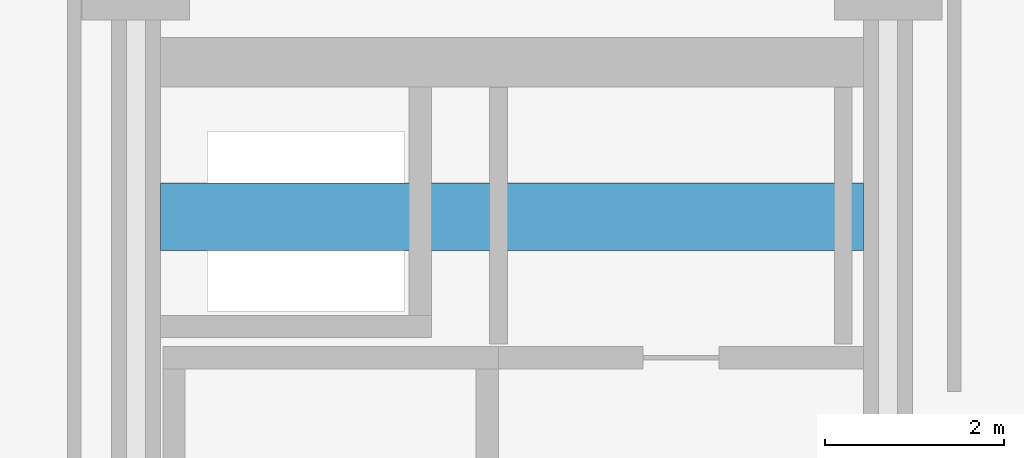
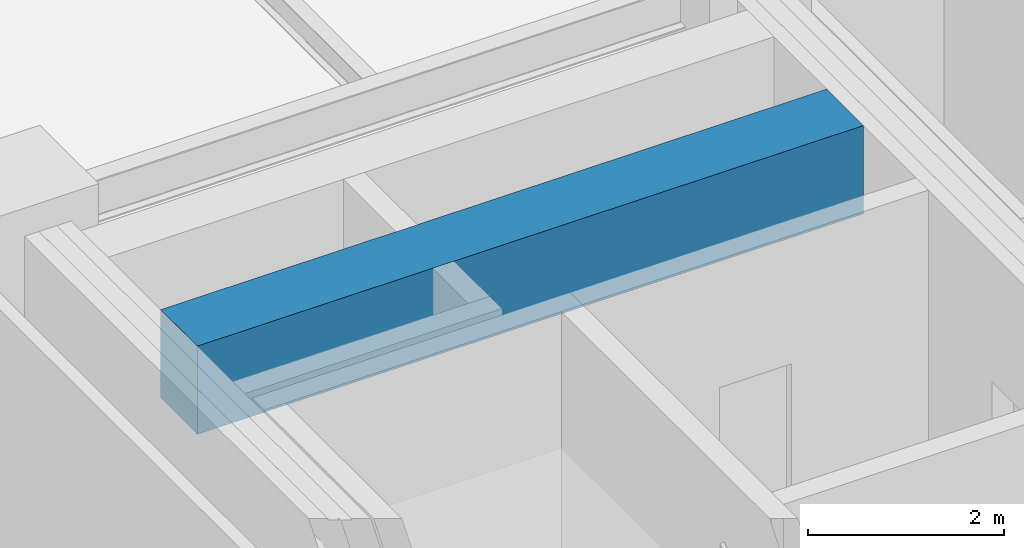
# One storey, part 17 of 29: 1 beam.
"""IFC4 building model written with IfcOpenShell, lengths in metres."""

from ifc_helpers import new_model, si_unit, direction, frame, origin, origin_2d, place, context, subcontext, project, spatial, rectangle, extrude, material, material_profile, profile_set, type_object, element, save


model = new_model("IFC4")

# Units and contexts
model_context = context("Model", 3, precision=1e-05, world=origin(), true_north=direction((0.0, 1.0)))
body_context = subcontext(model_context, "Body", "Model", "MODEL_VIEW")
ifc_project = project(units=[si_unit("LENGTHUNIT", "METRE"), si_unit("AREAUNIT", "SQUARE_METRE"), si_unit("VOLUMEUNIT", "CUBIC_METRE"), si_unit("PLANEANGLEUNIT", "RADIAN"), si_unit("MASSUNIT", "GRAM", prefix="KILO")], contexts=[model_context])

# Site, building, storey
site_placement = place(None, origin())
site = spatial("IfcSite", under=ifc_project, at=site_placement, CompositionType="ELEMENT")
building_placement = place(site_placement, origin())
building = spatial("IfcBuilding", under=site, at=building_placement, Name="Nerrivon Quay Data Exchange", CompositionType="ELEMENT")
storey_placement = place(building_placement, frame((0.0, 0.0, 158.199951171875)))
storey = spatial("IfcBuildingStorey", under=building, at=storey_placement, Name="L37", CompositionType="ELEMENT", Elevation=158.199951171875)

# Beam
ifc_material = material(Name="Concrete S65 (65 MPa)", Category="concrete")
ifc_material_profile = material_profile(ifc_material, rectangle(XDim=0.75, YDim=1.10009765625, at=origin_2d()), Name="RC-CB-750x1100")
ifc_profile_set = profile_set([ifc_material_profile], Name="Concrete S65 (65 MPa)")
beam_type = type_object("IfcBeamType", Name="BM-CB1-750x1100", PredefinedType="LINTEL", material=ifc_profile_set)
beam_placement = place(storey_placement, frame((8.675048828125, 39.199951171875, 3.199951171875), z_axis=(1.0, 0.0, 0.0), x_axis=(0.0, 1.0, 0.0)))
element("IfcBeam", 1, at=beam_placement, inside=storey, type_object=beam_type, Name="L37 West Core Coupling Beam", PredefinedType="LINTEL", context=body_context, shape_type="SweptSolid", body=[
    extrude(rectangle(XDim=0.75, YDim=1.10009765625, at=origin_2d()), origin(), (0.0, 0.0, 1.0), 7.849853515625),
])

save(model, "model.ifc")
